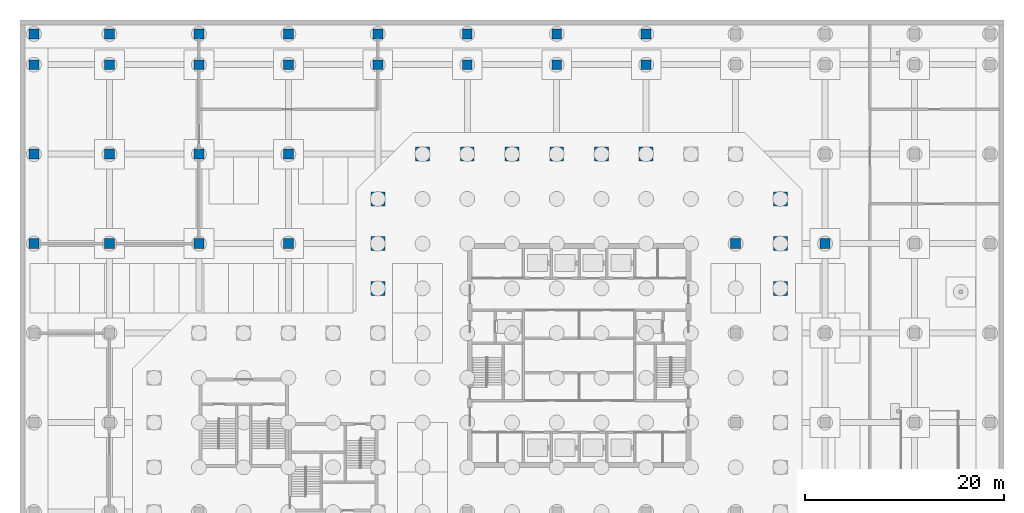
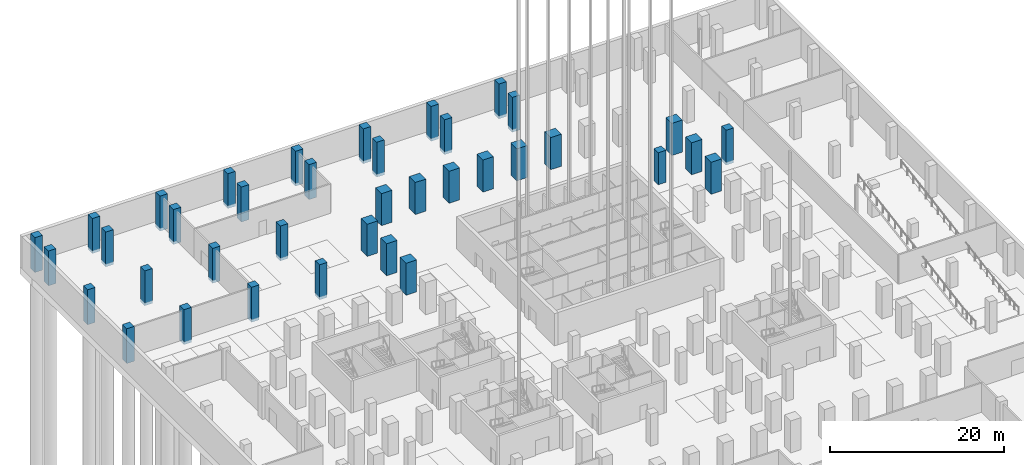
# One storey, part 6 of 37: 38 columns.
"""IFC4 building model written with IfcOpenShell, lengths in metres."""

from ifc_helpers import new_model, si_unit, direction, frame, origin, origin_2d, place, context, subcontext, project, spatial, rectangle, extrude, material, material_profile, profile_set, type_object, element, save


model = new_model("IFC4")

# Units and contexts
model_context = context("Model", 3, precision=1e-05, world=origin(), true_north=direction((0.0, 1.0)))
body_context = subcontext(model_context, "Body", "Model", "MODEL_VIEW")
ifc_project = project(units=[si_unit("LENGTHUNIT", "METRE"), si_unit("AREAUNIT", "SQUARE_METRE"), si_unit("VOLUMEUNIT", "CUBIC_METRE"), si_unit("PLANEANGLEUNIT", "RADIAN"), si_unit("MASSUNIT", "GRAM", prefix="KILO")], contexts=[model_context])

# Site, building, storey
site_placement = place(None, origin())
site = spatial("IfcSite", under=ifc_project, at=site_placement, CompositionType="ELEMENT")
building_placement = place(site_placement, origin())
building = spatial("IfcBuilding", under=site, at=building_placement, Name="Quoin Convention Tower", CompositionType="ELEMENT")
storey_placement = place(building_placement, frame((0.0, 0.0, -9.0)))
storey = spatial("IfcBuildingStorey", under=building, at=storey_placement, Name="B2", CompositionType="ELEMENT", Elevation=-9.0)

# Columns
ifc_material = material(Name="Concrete C100 (100 MPa)", Category="concrete")
ifc_material_profile_1 = material_profile(ifc_material, rectangle(XDim=1.0, YDim=1.0, at=origin_2d()), Name="RC 1000x1000")
ifc_profile_set_1 = profile_set([ifc_material_profile_1], Name="Concrete C100 (100 MPa)")
column_type_1 = type_object("IfcColumnType", Name="RC 1000x1000 C100", PredefinedType="COLUMN", material=ifc_profile_set_1)
for number, where, z_axis, x_axis, name in (
    (1, (9.0, 72.0, -0.39990234375), (0.0, 0.0, 1.0), (1.0, 0.0, 0.0), "col-B2-G9000_72000"),
    (2, (9.0, 81.0, -0.39990234375), (0.0, 0.0, 1.0), (1.0, 0.0, 0.0), "col-B2-G9000_81000"),
    (3, (9.0, 90.0, -0.39990234375), (0.0, 0.0, 1.0), (1.0, 0.0, 0.0), "col-B2-G9000_90000"),
    (4, (18.0, 72.0, -0.39990234375), (0.0, 0.0, 1.0), (1.0, 0.0, 0.0), "col-B2-G18000_72000"),
    (5, (18.0, 81.0, -0.39990234375), (0.0, 0.0, 1.0), (1.0, 0.0, 0.0), "col-B2-G18000_81000"),
    (6, (18.0, 90.0, -0.39990234375), (0.0, 0.0, 1.0), (1.0, 0.0, 0.0), "col-B2-G18000_90000"),
    (7, (27.0, 72.0, -0.39990234375), (0.0, 0.0, 1.0), (1.0, 0.0, 0.0), "col-B2-G27000_72000"),
    (8, (27.0, 81.0, -0.39990234375), (0.0, 0.0, 1.0), (1.0, 0.0, 0.0), "col-B2-G27000_81000"),
    (9, (27.0, 90.0, -0.39990234375), (0.0, 0.0, 1.0), (1.0, 0.0, 0.0), "col-B2-G27000_90000"),
    (10, (36.0, 90.0, -0.39990234375), (0.0, 0.0, 1.0), (1.0, 0.0, 0.0), "col-B2-G36000_90000"),
    (11, (45.0, 90.0, -0.39990234375), (0.0, 0.0, 1.0), (1.0, 0.0, 0.0), "col-B2-G45000_90000"),
    (12, (54.0, 90.0, -0.39990234375), (0.0, 0.0, 1.0), (1.0, 0.0, 0.0), "col-B2-G54000_90000"),
    (13, (63.0, 90.0, -0.39990234375), (0.0, 0.0, 1.0), (1.0, 0.0, 0.0), "col-B2-G63000_90000"),
):
    element("IfcColumn", number, at=place(storey_placement, frame(where, z_axis=z_axis, x_axis=x_axis)), inside=storey, type_object=column_type_1, Name=name, PredefinedType="COLUMN", context=body_context, shape_type="SweptSolid", body=[
        extrude(rectangle(XDim=1.0, YDim=1.0, at=origin_2d()), origin(), (0.0, 0.0, 1.0), 4.89990234375),
    ])
column_placement = place(storey_placement, frame((72.0, 72.0, 0.0), z_axis=(0.0, 0.0, 1.0), x_axis=(1.0, 0.0, 0.0)))
element("IfcColumn", 14, at=column_placement, inside=storey, type_object=column_type_1, Name="col-B2-G72000_72000", PredefinedType="COLUMN", context=body_context, shape_type="SweptSolid", body=[
    extrude(rectangle(XDim=1.0, YDim=1.0, at=origin_2d()), origin(), (0.0, 0.0, 1.0), 4.5),
])
for number, where, z_axis, x_axis, name in (
    (15, (81.0, 72.0, -0.39990234375), (0.0, 0.0, 1.0), (1.0, 0.0, 0.0), "col-B2-G81000_72000"),
    (16, (1.39990234375, 72.0, -0.39990234375), (0.0, 0.0, 1.0), (1.0, 0.0, 0.0), "col-B2-X1400_72000"),
    (17, (1.39990234375, 81.0, -0.39990234375), (0.0, 0.0, 1.0), (1.0, 0.0, 0.0), "col-B2-X1400_81000"),
    (18, (1.39990234375, 90.0, -0.39990234375), (0.0, 0.0, 1.0), (1.0, 0.0, 0.0), "col-B2-X1400_90000"),
    (19, (1.39990234375, 93.10009765625, -0.39990234375), (0.0, 0.0, 1.0), (1.0, 0.0, 0.0), "col-B2-X1400_93100"),
    (20, (9.0, 93.10009765625, -0.39990234375), (0.0, 0.0, 1.0), (1.0, 0.0, 0.0), "col-B2-X9000_93100"),
    (21, (18.0, 93.10009765625, -0.39990234375), (0.0, 0.0, 1.0), (1.0, 0.0, 0.0), "col-B2-X18000_93100"),
    (22, (27.0, 93.10009765625, -0.39990234375), (0.0, 0.0, 1.0), (1.0, 0.0, 0.0), "col-B2-X27000_93100"),
    (23, (36.0, 93.10009765625, -0.39990234375), (0.0, 0.0, 1.0), (1.0, 0.0, 0.0), "col-B2-X36000_93100"),
    (24, (45.0, 93.10009765625, -0.39990234375), (0.0, 0.0, 1.0), (1.0, 0.0, 0.0), "col-B2-X45000_93100"),
    (25, (54.0, 93.10009765625, -0.39990234375), (0.0, 0.0, 1.0), (1.0, 0.0, 0.0), "col-B2-X54000_93100"),
    (26, (63.0, 93.10009765625, -0.39990234375), (0.0, 0.0, 1.0), (1.0, 0.0, 0.0), "col-B2-X63000_93100"),
):
    element("IfcColumn", number, at=place(storey_placement, frame(where, z_axis=z_axis, x_axis=x_axis)), inside=storey, type_object=column_type_1, Name=name, PredefinedType="COLUMN", context=body_context, shape_type="SweptSolid", body=[
        extrude(rectangle(XDim=1.0, YDim=1.0, at=origin_2d()), origin(), (0.0, 0.0, 1.0), 4.89990234375),
    ])
ifc_material_profile_2 = material_profile(ifc_material, rectangle(XDim=1.39990234375, YDim=1.39990234375, at=origin_2d()), Name="RC 1400x1400")
ifc_profile_set_2 = profile_set([ifc_material_profile_2], Name="Concrete C100 (100 MPa)")
column_type_2 = type_object("IfcColumnType", Name="RC 1400x1400 C100", PredefinedType="COLUMN", material=ifc_profile_set_2)
for number, where, z_axis, x_axis, name in (
    (27, (36.0, 67.5, 0.0), (0.0, 0.0, 1.0), (1.0, 0.0, 0.0), "col-B2-36000_67500"),
    (28, (76.5, 67.5, 0.0), (0.0, 0.0, 1.0), (1.0, 0.0, 0.0), "col-B2-76500_67500"),
    (29, (36.0, 72.0, 0.0), (0.0, 0.0, 1.0), (1.0, 0.0, 0.0), "col-B2-36000_72000"),
    (30, (76.5, 72.0, 0.0), (0.0, 0.0, 1.0), (1.0, 0.0, 0.0), "col-B2-76500_72000"),
    (31, (36.0, 76.5, 0.0), (0.0, 0.0, 1.0), (1.0, 0.0, 0.0), "col-B2-36000_76500"),
    (32, (76.5, 76.5, 0.0), (0.0, 0.0, 1.0), (1.0, 0.0, 0.0), "col-B2-76500_76500"),
    (33, (40.5, 81.0, 0.0), (0.0, 0.0, 1.0), (1.0, 0.0, 0.0), "col-B2-40500_81000"),
    (34, (45.0, 81.0, 0.0), (0.0, 0.0, 1.0), (1.0, 0.0, 0.0), "col-B2-45000_81000"),
    (35, (49.5, 81.0, 0.0), (0.0, 0.0, 1.0), (1.0, 0.0, 0.0), "col-B2-49500_81000"),
    (36, (54.0, 81.0, 0.0), (0.0, 0.0, 1.0), (1.0, 0.0, 0.0), "col-B2-54000_81000"),
    (37, (58.5, 81.0, 0.0), (0.0, 0.0, 1.0), (1.0, 0.0, 0.0), "col-B2-58500_81000"),
    (38, (63.0, 81.0, 0.0), (0.0, 0.0, 1.0), (1.0, 0.0, 0.0), "col-B2-63000_81000"),
):
    element("IfcColumn", number, at=place(storey_placement, frame(where, z_axis=z_axis, x_axis=x_axis)), inside=storey, type_object=column_type_2, Name=name, PredefinedType="COLUMN", context=body_context, shape_type="SweptSolid", body=[
        extrude(rectangle(XDim=1.39990234375, YDim=1.39990234375, at=origin_2d()), origin(), (0.0, 0.0, 1.0), 4.5),
    ])

save(model, "model.ifc")
